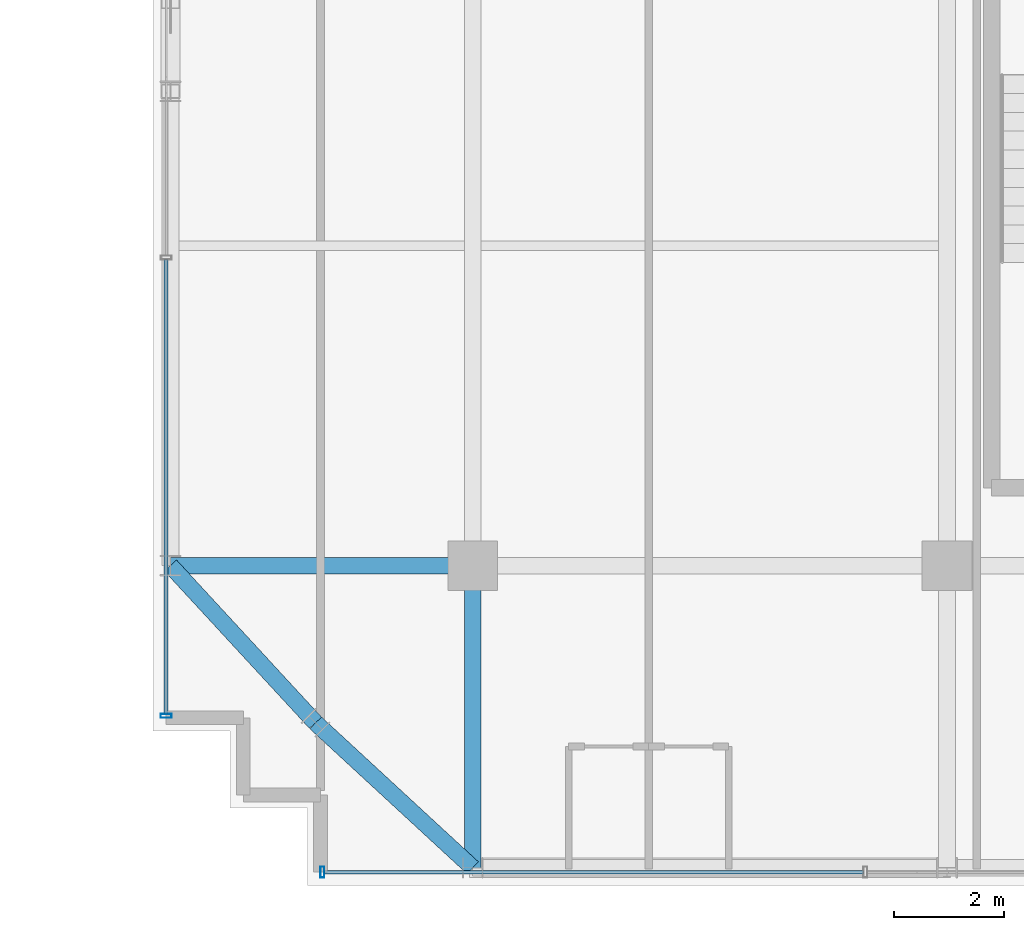
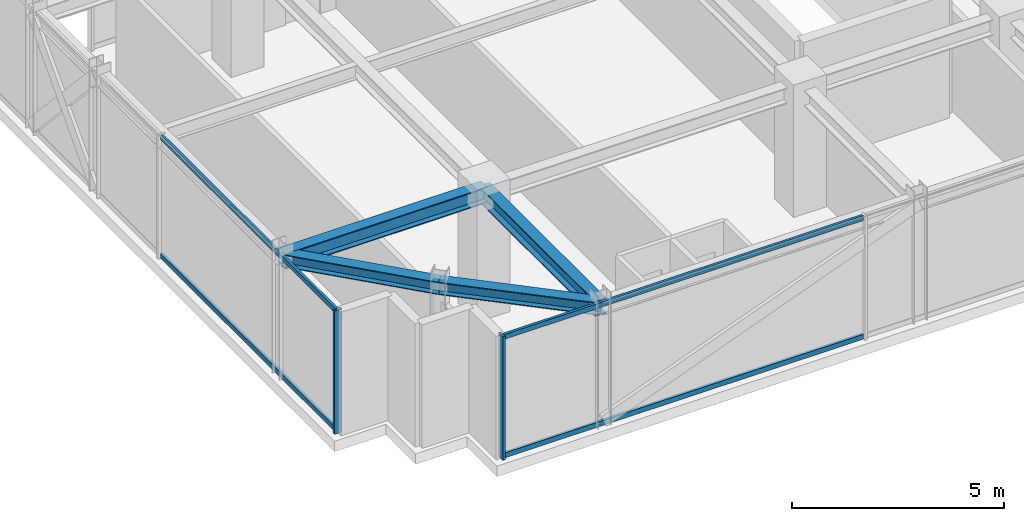
# One storey, part 4 of 40: 6 members, 4 beams, 2 elements without a shape of their own.
"""IFC4 building model written with IfcOpenShell, lengths in metres."""

from ifc_helpers import new_model, si_unit, direction, frame, origin, origin_2d, place, context, subcontext, project, spatial, hollow_rectangle, i_section, extrude, source, transform, mapped, material, material_profile, profile_set, type_object, element, aggregate, save


model = new_model("IFC4")

# Units and contexts
model_context = context("Model", 3, precision=1e-05, world=origin(), true_north=direction((0.0, 1.0)))
body_context = subcontext(model_context, "Body", "Model", "MODEL_VIEW")
ifc_project = project(units=[si_unit("LENGTHUNIT", "METRE"), si_unit("AREAUNIT", "SQUARE_METRE"), si_unit("VOLUMEUNIT", "CUBIC_METRE"), si_unit("PLANEANGLEUNIT", "RADIAN"), si_unit("MASSUNIT", "GRAM", prefix="KILO")], contexts=[model_context])

# Site, building, storey
site_placement = place(None, origin())
site = spatial("IfcSite", under=ifc_project, at=site_placement, CompositionType="ELEMENT")
building_placement = place(site_placement, origin())
building = spatial("IfcBuilding", under=site, at=building_placement, Name="Nahalor Promenade Grand Hotel", CompositionType="ELEMENT")
storey_placement = place(building_placement, frame((0.0, 0.0, 288.800048828125)))
storey = spatial("IfcBuildingStorey", under=building, at=storey_placement, Name="L74", CompositionType="ELEMENT", Elevation=288.800048828125)

# Beams
ifc_material_1 = material(Name="Steel S355JR", Category="steel")
ifc_material_profile_1 = material_profile(ifc_material_1, i_section(OverallWidth=0.3, OverallDepth=0.45, WebThickness=0.014, FlangeThickness=0.026, at=origin_2d()), Name="HEB 450")
ifc_profile_set_1 = profile_set([ifc_material_profile_1], Name="Steel S355JR")
beam_type_1 = type_object("IfcBeamType", Name="Beam-Girder-HEB450", PredefinedType="BEAM", material=ifc_profile_set_1)
shared_shape_1 = source(origin(), body_context, "Body", "SweptSolid", [
    extrude(i_section(OverallWidth=0.3, OverallDepth=0.45, WebThickness=0.014, FlangeThickness=0.026, at=origin_2d()), origin(), (0.0, 0.0, 1.0), 5.47998046875),
])
for number, where, z_axis, x_axis, name in (
    (1, (-22.47998046875, -17.0, 3.324951171875), (1.0, 0.0, 0.0), (0.0, 1.0, 0.0), "BM-L74-GX-0-0"),
    (2, (-17.0, -22.47998046875, 3.324951171875), (0.0, 1.0, 0.0), (-1.0, 0.0, 0.0), "BM-L74-GY-0-0"),
):
    element("IfcBeam", number, at=place(storey_placement, frame(where, z_axis=z_axis, x_axis=x_axis)), inside=storey, type_object=beam_type_1, Name=name, PredefinedType="BEAM", context=body_context, shape_type="MappedRepresentation", body=[
        mapped(shared_shape_1, transform((0.0, 0.0, 0.0), scale=1.0)),
    ])
ifc_material_profile_2 = material_profile(ifc_material_1, i_section(OverallWidth=0.3, OverallDepth=0.36, WebThickness=0.0125, FlangeThickness=0.0225, at=origin_2d()), Name="HEB 360")
ifc_profile_set_2 = profile_set([ifc_material_profile_2], Name="Steel S355JR")
beam_type_2 = type_object("IfcBeamType", Name="Beam-Spandrel-HEB360", PredefinedType="SPANDREL", material=ifc_profile_set_2)
shared_shape_2 = source(origin(), body_context, "Body", "SweptSolid", [
    extrude(i_section(OverallWidth=0.3, OverallDepth=0.36, WebThickness=0.0125, FlangeThickness=0.0225, at=origin_2d()), origin(), (0.0, 0.0, 1.0), 3.878173828125),
])
for number, where, z_axis, x_axis, name in (
    (3, (-17.0, -22.47998046875, 3.369873046875), (-0.73492893846, 0.678144125843, 0.0), (-0.678144125843, -0.73492893846, 0.0), "BM-L74-SPC-SW-1"),
    (4, (-19.85009765625, -19.85009765625, 3.369873046875), (-0.678144125843, 0.73492893846, 0.0), (-0.73492893846, -0.678144125843, 0.0), "BM-L74-SPC-SW-2"),
):
    element("IfcBeam", number, at=place(storey_placement, frame(where, z_axis=z_axis, x_axis=x_axis)), inside=storey, type_object=beam_type_2, Name=name, PredefinedType="SPANDREL", context=body_context, shape_type="MappedRepresentation", body=[
        mapped(shared_shape_2, transform((0.0, 0.0, 0.0), scale=1.0)),
    ])

# Curtain wall, members
ifc_material_2 = material(Name="Anodised Bronze Aluminium EN AW-6063 T6", Category="aluminium")
curtain_wall_type = type_object("IfcCurtainWallType", Name="CW3 Elliptical-Void Collar Unitised Curtain Wall", PredefinedType="USERDEFINED", material=ifc_material_2)
curtain_wall_1_placement = place(storey_placement, origin())
curtain_wall_1 = element("IfcCurtainWall", 5, at=curtain_wall_1_placement, inside=storey, type_object=curtain_wall_type, Name="L74 Curtain Wall CW-L74-S-1", ObjectType="UNITISED_CURTAIN_WALL", PredefinedType="USERDEFINED")
ifc_material_profile_3 = material_profile(ifc_material_2, hollow_rectangle(XDim=0.07, YDim=0.14, WallThickness=0.004, at=origin_2d()), Name="CWT 70x140x4")
ifc_profile_set_3 = profile_set([ifc_material_profile_3], Name="Anodised Bronze Aluminium EN AW-6063 T6")
member_type_1 = type_object("IfcMemberType", Name="CWT3 Void Collar Transom 70x140", PredefinedType="USERDEFINED", material=ifc_profile_set_3)
shared_shape_3 = source(origin(), body_context, "Body", "SweptSolid", [
    extrude(hollow_rectangle(XDim=0.07, YDim=0.14, WallThickness=0.004, at=origin_2d()), origin(), (0.0, 0.0, 1.0), 9.77490234375),
])
member_1_placement = place(storey_placement, frame((-19.68994140625, -22.56005859375, 0.070068359375), z_axis=(1.0, 0.0, 0.0), x_axis=(0.0, 1.0, 0.0)))
member_1 = element("IfcMember", 6, at=member_1_placement, type_object=member_type_1, Name="CW-L74-S-1 Transom 0-0", ObjectType="TRANSOM", PredefinedType="USERDEFINED", context=body_context, shape_type="MappedRepresentation", body=[
    mapped(shared_shape_3, transform((0.0, 0.0, 0.0), scale=1.0)),
])
member_2_placement = place(storey_placement, frame((-19.68994140625, -22.56005859375, 3.47998046875), z_axis=(1.0, 0.0, 0.0), x_axis=(0.0, 1.0, 0.0)))
member_2 = element("IfcMember", 7, at=member_2_placement, type_object=member_type_1, Name="CW-L74-S-1 Transom 0-1", ObjectType="TRANSOM", PredefinedType="USERDEFINED", context=body_context, shape_type="MappedRepresentation", body=[
    mapped(shared_shape_3, transform((0.0, 0.0, 0.0), scale=1.0)),
])
ifc_material_profile_4 = material_profile(ifc_material_2, hollow_rectangle(XDim=0.07, YDim=0.2, WallThickness=0.005, at=origin_2d()), Name="CWM 70x200x5")
ifc_profile_set_4 = profile_set([ifc_material_profile_4], Name="Anodised Bronze Aluminium EN AW-6063 T6")
member_type_2 = type_object("IfcMemberType", Name="CWM3 Void Collar Mullion 70x200", PredefinedType="MULLION", material=ifc_profile_set_4)
shared_shape_4 = source(origin(), body_context, "Body", "SweptSolid", [
    extrude(hollow_rectangle(XDim=0.07, YDim=0.2, WallThickness=0.005, at=origin_2d()), origin(), (0.0, 0.0, 1.0), 3.550048828125),
])
member_3_placement = place(storey_placement, frame((-19.72509765625, -22.56005859375, 0.0), z_axis=(0.0, 0.0, 1.0), x_axis=(1.0, 0.0, 0.0)))
member_3 = element("IfcMember", 8, at=member_3_placement, type_object=member_type_2, Name="CW-L74-S-1 Mullion 0", PredefinedType="MULLION", context=body_context, shape_type="MappedRepresentation", body=[
    mapped(shared_shape_4, transform((0.0, 0.0, 0.0), scale=1.0)),
])
aggregate(curtain_wall_1, [member_3, member_1, member_2])

curtain_wall_2_placement = place(storey_placement, origin())
curtain_wall_2 = element("IfcCurtainWall", 9, at=curtain_wall_2_placement, inside=storey, type_object=curtain_wall_type, Name="L74 Curtain Wall CW-L74-W-1", ObjectType="UNITISED_CURTAIN_WALL", PredefinedType="USERDEFINED")
member_4_placement = place(storey_placement, frame((-22.56005859375, -19.72509765625, 0.0), z_axis=(0.0, 0.0, 1.0), x_axis=(0.0, 1.0, 0.0)))
member_4 = element("IfcMember", 10, at=member_4_placement, type_object=member_type_2, Name="CW-L74-W-1 Mullion 0", PredefinedType="MULLION", context=body_context, shape_type="MappedRepresentation", body=[
    mapped(shared_shape_4, transform((0.0, 0.0, 0.0), scale=1.0)),
])
shared_shape_5 = source(origin(), body_context, "Body", "SweptSolid", [
    extrude(hollow_rectangle(XDim=0.07, YDim=0.14, WallThickness=0.004, at=origin_2d()), origin(), (0.0, 0.0, 1.0), 8.239501953125),
])
member_5_placement = place(storey_placement, frame((-22.56005859375, -19.68994140625, 0.070068359375), z_axis=(0.0, 1.0, 0.0), x_axis=(-1.0, 0.0, 0.0)))
member_5 = element("IfcMember", 11, at=member_5_placement, type_object=member_type_1, Name="CW-L74-W-1 Transom 0-0", ObjectType="TRANSOM", PredefinedType="USERDEFINED", context=body_context, shape_type="MappedRepresentation", body=[
    mapped(shared_shape_5, transform((0.0, 0.0, 0.0), scale=1.0)),
])
member_6_placement = place(storey_placement, frame((-22.56005859375, -19.68994140625, 3.47998046875), z_axis=(0.0, 1.0, 0.0), x_axis=(-1.0, 0.0, 0.0)))
member_6 = element("IfcMember", 12, at=member_6_placement, type_object=member_type_1, Name="CW-L74-W-1 Transom 0-1", ObjectType="TRANSOM", PredefinedType="USERDEFINED", context=body_context, shape_type="MappedRepresentation", body=[
    mapped(shared_shape_5, transform((0.0, 0.0, 0.0), scale=1.0)),
])
aggregate(curtain_wall_2, [member_4, member_5, member_6])

save(model, "model.ifc")
